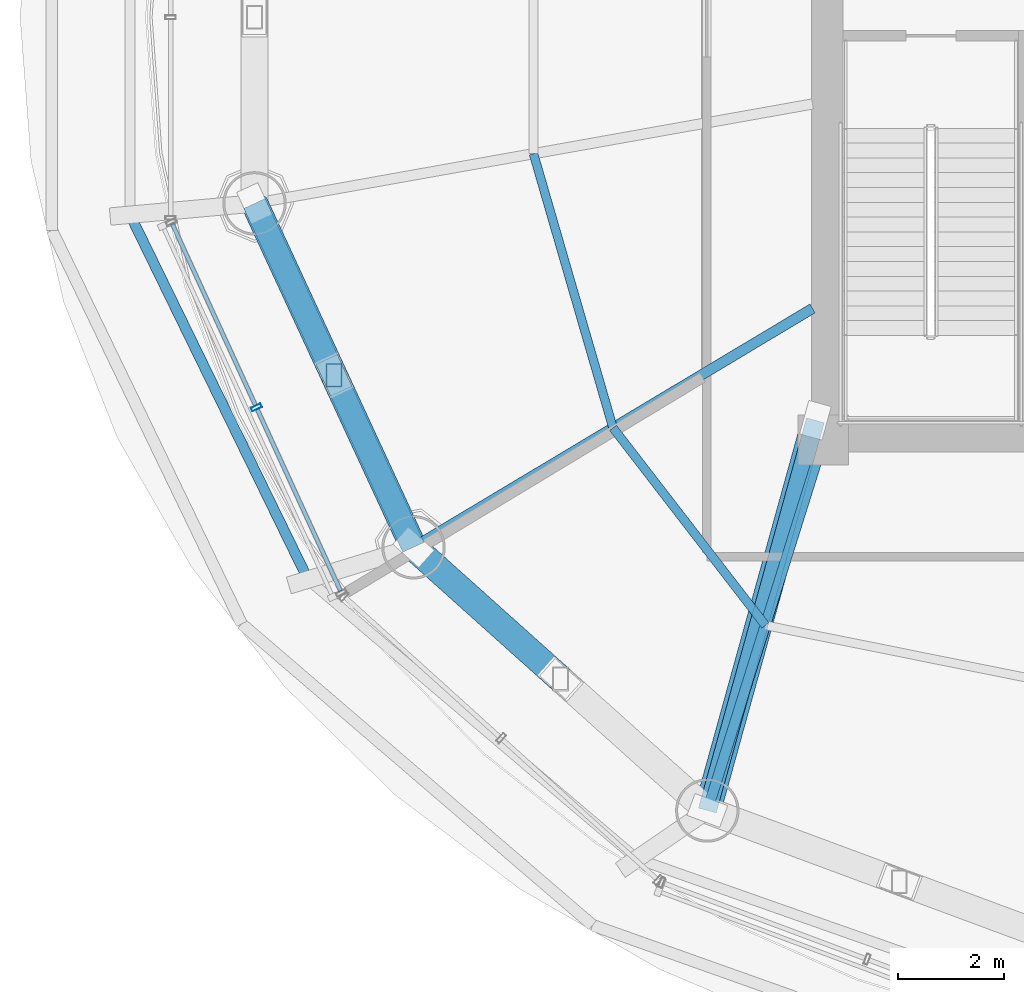
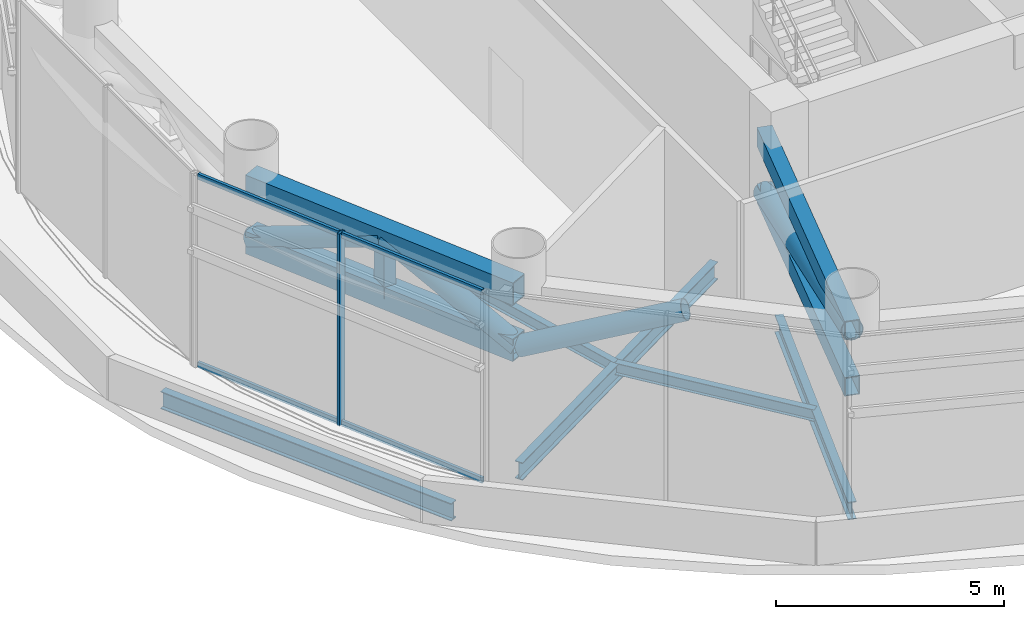
# One storey, part 3 of 25: 14 members, 5 beams, 1 element without a shape of its own.
"""IFC4 building model written with IfcOpenShell, lengths in metres."""

from ifc_helpers import new_model, si_unit, direction, frame, origin, origin_2d, place, context, subcontext, project, spatial, hollow_rectangle, hollow_circle, i_section, extrude, source, transform, mapped, material, material_profile, profile_set, type_object, element, aggregate, save


model = new_model("IFC4")

# Units and contexts
model_context = context("Model", 3, precision=1e-05, world=origin(), true_north=direction((-0.2419218956, 0.970295726276)))
body_context = subcontext(model_context, "Body", "Model", "MODEL_VIEW")
ifc_project = project(units=[si_unit("LENGTHUNIT", "METRE"), si_unit("AREAUNIT", "SQUARE_METRE"), si_unit("VOLUMEUNIT", "CUBIC_METRE"), si_unit("PLANEANGLEUNIT", "RADIAN"), si_unit("MASSUNIT", "GRAM", prefix="KILO")], contexts=[model_context])

# Site, building, storey
site_placement = place(None, origin())
site = spatial("IfcSite", under=ifc_project, at=site_placement, CompositionType="ELEMENT")
building_placement = place(site_placement, origin())
building = spatial("IfcBuilding", under=site, at=building_placement, Name="Cobrevalo Terracotta Tower", CompositionType="ELEMENT")
storey_placement = place(building_placement, frame((0.0, 0.0, 185.800048828125)))
storey = spatial("IfcBuildingStorey", under=building, at=storey_placement, Name="L49", CompositionType="ELEMENT", Elevation=185.800048828125)

# Beams
ifc_material_1 = material(Name="Steel S355", Category="steel")
ifc_material_profile_1 = material_profile(ifc_material_1, i_section(OverallWidth=0.194091796875, OverallDepth=0.468994140625, WebThickness=0.011474609375, FlangeThickness=0.0205078125, at=origin_2d()), Name="W 460x106")
ifc_profile_set_1 = profile_set([ifc_material_profile_1], Name="Steel S355")
beam_type_1 = type_object("IfcBeamType", Name="Structural Beam W 460x106 (Steel S355)", PredefinedType="BEAM", material=ifc_profile_set_1)
beam_1_placement = place(storey_placement, frame((21.245849609375, 16.77197265625, -0.6845703125), z_axis=(0.858038452613, 0.513585449402, 0.0), x_axis=(-0.513585449402, 0.858038452613, 0.0)))
element("IfcBeam", 1, at=beam_1_placement, inside=storey, type_object=beam_type_1, Name="L49 radial floor girder 10", PredefinedType="BEAM", context=body_context, shape_type="SweptSolid", body=[
    extrude(i_section(OverallWidth=0.194091796875, OverallDepth=0.468994140625, WebThickness=0.011474609375, FlangeThickness=0.0205078125, at=origin_2d()), origin(), (0.0, 0.0, 1.0), 8.798095703125),
])
beam_2_placement = place(storey_placement, frame((26.80517578125, 11.7919921875, -0.6845703125), z_axis=(0.298871212691, 0.954293454984, 0.0), x_axis=(-0.954293454984, 0.298871212691, 0.0)))
element("IfcBeam", 2, at=beam_2_placement, inside=storey, type_object=beam_type_1, Name="L49 radial floor girder 11", PredefinedType="BEAM", context=body_context, shape_type="SweptSolid", body=[
    extrude(i_section(OverallWidth=0.194091796875, OverallDepth=0.468994140625, WebThickness=0.011474609375, FlangeThickness=0.0205078125, at=origin_2d()), origin(), (0.0, 0.0, 1.0), 7.34375),
])
ifc_material_profile_2 = material_profile(ifc_material_1, i_section(OverallWidth=0.1650390625, OverallDepth=0.31005859375, WebThickness=0.005859375, FlangeThickness=0.009765625, at=origin_2d()), Name="W 310x38.7")
ifc_profile_set_2 = profile_set([ifc_material_profile_2], Name="Steel S355")
beam_type_2 = type_object("IfcBeamType", Name="Structural Joist W 310x38.7 (Steel S355)", PredefinedType="JOIST", material=ifc_profile_set_2)
beam_3_placement = place(storey_placement, frame((23.51611328125, 24.21923828125, -0.60498046875), z_axis=(0.278503604802, -0.960435183712, 0.0), x_axis=(0.960435183712, 0.278503604802, 0.0)))
element("IfcBeam", 3, at=beam_3_placement, inside=storey, type_object=beam_type_2, Name="L49 circumferential secondary floor joist 09", PredefinedType="JOIST", context=body_context, shape_type="SweptSolid", body=[
    extrude(i_section(OverallWidth=0.1650390625, OverallDepth=0.31005859375, WebThickness=0.005859375, FlangeThickness=0.009765625, at=origin_2d()), origin(), (0.0, 0.0, 1.0), 5.401611328125),
])
beam_4_placement = place(storey_placement, frame((25.0205078125, 19.03125, -0.60498046875), z_axis=(0.61087296872, -0.791728625279, 0.0), x_axis=(0.791728625279, 0.61087296872, 0.0)))
element("IfcBeam", 4, at=beam_4_placement, inside=storey, type_object=beam_type_2, Name="L49 circumferential secondary floor joist 10", PredefinedType="JOIST", context=body_context, shape_type="SweptSolid", body=[
    extrude(i_section(OverallWidth=0.1650390625, OverallDepth=0.31005859375, WebThickness=0.005859375, FlangeThickness=0.009765625, at=origin_2d()), origin(), (0.0, 0.0, 1.0), 4.718017578125),
])
ifc_material_profile_3 = material_profile(ifc_material_1, i_section(OverallWidth=0.194091796875, OverallDepth=0.468994140625, WebThickness=0.011474609375, FlangeThickness=0.0205078125, at=origin_2d()), Name="W 460x106")
ifc_profile_set_3 = profile_set([ifc_material_profile_3], Name="Steel S355")
beam_type_3 = type_object("IfcBeamType", Name="Structural Spandrel W 460x106 (Steel S355)", PredefinedType="SPANDREL", material=ifc_profile_set_3)
beam_5_placement = place(storey_placement, frame((15.88330078125, 23.06396484375, -0.6845703125), z_axis=(0.438380418332, -0.898789524206, 0.0), x_axis=(0.898789524206, 0.438380418332, 0.0)))
element("IfcBeam", 5, at=beam_5_placement, inside=storey, type_object=beam_type_3, Name="L49 perimeter ring spandrel 09", PredefinedType="SPANDREL", context=body_context, shape_type="SweptSolid", body=[
    extrude(i_section(OverallWidth=0.194091796875, OverallDepth=0.468994140625, WebThickness=0.011474609375, FlangeThickness=0.0205078125, at=origin_2d()), origin(), (0.0, 0.0, 1.0), 7.680419921875),
])

# Members
ifc_material_profile_4 = material_profile(ifc_material_1, hollow_rectangle(XDim=0.449951171875, YDim=0.60009765625, WallThickness=0.028076171875, at=origin_2d()), Name="RHS 600x450x28")
ifc_profile_set_4 = profile_set([ifc_material_profile_4], Name="Steel S355")
member_type_1 = type_object("IfcMemberType", Name="Steel Chord RHS 600x450x28 (Steel S355)", PredefinedType="CHORD", material=ifc_profile_set_4)
shared_shape_1 = source(origin(), body_context, "Body", "SweptSolid", [
    extrude(hollow_rectangle(XDim=0.449951171875, YDim=0.60009765625, WallThickness=0.028076171875, at=origin_2d()), origin(), (0.0, 0.0, 1.0), 7.168701171875),
])
for number, where, z_axis, x_axis, name in (
    (6, (18.237060546875, 23.278564453125, 2.64990234375), (0.419718939129, -0.90765412583, 0.0), (0.90765412583, 0.419718939129, 0.0), "L49 belt truss chord 09-BC"),
    (7, (18.237060546875, 23.278564453125, 4.155029296875), (0.419718939129, -0.90765412583, 0.0), (0.90765412583, 0.419718939129, 0.0), "L49 belt truss chord 09-TC"),
):
    element("IfcMember", number, at=place(storey_placement, frame(where, z_axis=z_axis, x_axis=x_axis)), inside=storey, type_object=member_type_1, Name=name, PredefinedType="CHORD", context=body_context, shape_type="MappedRepresentation", body=[
        mapped(shared_shape_1, transform((0.0, 0.0, 0.0), scale=1.0)),
    ])
ifc_material_profile_5 = material_profile(ifc_material_1, hollow_rectangle(XDim=0.300048828125, YDim=0.449951171875, WallThickness=0.02001953125, at=origin_2d()), Name="RHS 450x300x20")
ifc_profile_set_5 = profile_set([ifc_material_profile_5], Name="Steel S355")
member_type_2 = type_object("IfcMemberType", Name="Steel Post RHS 450x300x20 (Steel S355)", PredefinedType="POST", material=ifc_profile_set_5)
shared_shape_2 = source(origin(), body_context, "Body", "SweptSolid", [
    extrude(hollow_rectangle(XDim=0.300048828125, YDim=0.449951171875, WallThickness=0.02001953125, at=origin_2d()), origin(), (0.0, 0.0, 1.0), 1.505126953125),
])
member_1_placement = place(storey_placement, frame((19.741455078125, 20.025390625, 2.64990234375), z_axis=(0.0, 0.0, 1.0), x_axis=(1.0, 0.0, 0.0)))
element("IfcMember", 8, at=member_1_placement, inside=storey, type_object=member_type_2, Name="L49 belt truss post 09", PredefinedType="POST", context=body_context, shape_type="MappedRepresentation", body=[
    mapped(shared_shape_2, transform((0.0, 0.0, 0.0), scale=1.0)),
])
ifc_material_profile_6 = material_profile(ifc_material_1, hollow_circle(Radius=0.25390625, WallThickness=0.02001953125, at=origin_2d()), Name="CHS 508x20")
ifc_profile_set_6 = profile_set([ifc_material_profile_6], Name="Steel S355")
member_type_3 = type_object("IfcMemberType", Name="Steel Brace CHS 508x20 (Steel S355)", PredefinedType="BRACE", material=ifc_profile_set_6)
shared_shape_3 = source(origin(), body_context, "Body", "SweptSolid", [
    extrude(hollow_circle(Radius=0.25390625, WallThickness=0.02001953125, at=origin_2d()), origin(), (0.0, 0.0, 1.0), 3.8876953125),
])
member_2_placement = place(storey_placement, frame((21.245849609375, 16.77197265625, 2.64990234375), z_axis=(-0.386973780964, 0.836873191355, 0.387162181052), x_axis=(-0.907660125176, -0.419705965131, 0.0)))
element("IfcMember", 9, at=member_2_placement, inside=storey, type_object=member_type_3, Name="L49 belt truss diagonal brace 09-D2", PredefinedType="BRACE", context=body_context, shape_type="MappedRepresentation", body=[
    mapped(shared_shape_3, transform((0.0, 0.0, 0.0), scale=1.0)),
])
shared_shape_4 = source(origin(), body_context, "Body", "SweptSolid", [
    extrude(hollow_circle(Radius=0.25390625, WallThickness=0.02001953125, at=origin_2d()), origin(), (0.0, 0.0, 1.0), 4.02392578125),
])
member_3_placement = place(storey_placement, frame((21.245849609375, 16.77197265625, 2.64990234375), z_axis=(0.690799602497, -0.618783167563, 0.374036496522), x_axis=(0.667213539671, 0.744866493057, 0.0)))
element("IfcMember", 10, at=member_3_placement, inside=storey, type_object=member_type_3, Name="L49 belt truss diagonal brace 10-D1", PredefinedType="BRACE", context=body_context, shape_type="MappedRepresentation", body=[
    mapped(shared_shape_4, transform((0.0, 0.0, 0.0), scale=1.0)),
])
shared_shape_5 = source(origin(), body_context, "Body", "SweptSolid", [
    extrude(hollow_circle(Radius=0.25390625, WallThickness=0.02001953125, at=origin_2d()), origin(), (0.0, 0.0, 1.0), 3.887451171875),
])
member_4_placement = place(storey_placement, frame((18.237060546875, 23.278564453125, 2.64990234375), z_axis=(0.386994119467, -0.836854372266, 0.387182529457), x_axis=(0.907648125928, 0.419731913844, 0.0)))
element("IfcMember", 11, at=member_4_placement, inside=storey, type_object=member_type_3, Name="L49 belt truss diagonal brace 09-D1", PredefinedType="BRACE", context=body_context, shape_type="MappedRepresentation", body=[
    mapped(shared_shape_5, transform((0.0, 0.0, 0.0), scale=1.0)),
])
ifc_material_profile_7 = material_profile(ifc_material_1, hollow_rectangle(XDim=0.35009765625, YDim=0.5, WallThickness=0.02197265625, at=origin_2d()), Name="RHS 500x350x22")
ifc_profile_set_7 = profile_set([ifc_material_profile_7], Name="Steel S355")
member_type_4 = type_object("IfcMemberType", Name="Steel Chord RHS 500x350x22 (Steel S355)", PredefinedType="CHORD", material=ifc_profile_set_7)
shared_shape_6 = source(origin(), body_context, "Body", "SweptSolid", [
    extrude(hollow_rectangle(XDim=0.35009765625, YDim=0.5, WallThickness=0.02197265625, at=origin_2d()), origin(), (0.0, 0.0, 1.0), 7.6611328125),
])
for number, where, z_axis, x_axis, name in (
    (12, (28.85009765625, 19.175048828125, 2.64990234375), (-0.266925528962, -0.963717158708, 0.0), (0.963717158708, -0.266925528962, 0.0), "L49 radial outrigger bottom chord 3"),
    (13, (28.85009765625, 19.175048828125, 4.155029296875), (-0.266925528962, -0.963717158708, 0.0), (0.963717158708, -0.266925528962, 0.0), "L49 radial outrigger top chord 3"),
):
    element("IfcMember", number, at=place(storey_placement, frame(where, z_axis=z_axis, x_axis=x_axis)), inside=storey, type_object=member_type_4, Name=name, PredefinedType="CHORD", context=body_context, shape_type="MappedRepresentation", body=[
        mapped(shared_shape_6, transform((0.0, 0.0, 0.0), scale=1.0)),
    ])
shared_shape_7 = source(origin(), body_context, "Body", "SweptSolid", [
    extrude(hollow_circle(Radius=0.25390625, WallThickness=0.02001953125, at=origin_2d()), origin(), (0.0, 0.0, 1.0), 7.807373046875),
])
member_5_placement = place(storey_placement, frame((28.85009765625, 19.175048828125, 2.64990234375), z_axis=(-0.261918525891, -0.945639701705, 0.192780290368), x_axis=(0.963717158708, -0.266925528962, 0.0)))
element("IfcMember", 14, at=member_5_placement, inside=storey, type_object=member_type_3, Name="L49 radial outrigger diagonal brace 3A", PredefinedType="BRACE", context=body_context, shape_type="MappedRepresentation", body=[
    mapped(shared_shape_7, transform((0.0, 0.0, 0.0), scale=1.0)),
])

# Curtain wall, members
ifc_material_2 = material(Name="Anodized aluminium", Category="aluminium")
curtain_wall_type = type_object("IfcCurtainWallType", Name="Belt-truss plant acoustic weather-louvre curtain wall CW-LV", PredefinedType="NOTDEFINED", material=ifc_material_2)
curtain_wall_placement = place(storey_placement, origin())
curtain_wall = element("IfcCurtainWall", 15, at=curtain_wall_placement, inside=storey, type_object=curtain_wall_type, Name="L49 curtain wall CW-LV-L49-S09", PredefinedType="NOTDEFINED")
ifc_material_profile_8 = material_profile(ifc_material_2, hollow_rectangle(XDim=0.074951171875, YDim=0.199951171875, WallThickness=0.0048828125, at=origin_2d()), Name="CWM 75x200")
ifc_profile_set_8 = profile_set([ifc_material_profile_8], Name="Anodized aluminium")
member_type_5 = type_object("IfcMemberType", Name="Lower/mid tower unitised mullion 75x200", PredefinedType="MULLION", material=ifc_profile_set_8)
shared_shape_8 = source(origin(), body_context, "Body", "SweptSolid", [
    extrude(hollow_rectangle(XDim=0.074951171875, YDim=0.199951171875, WallThickness=0.0048828125, at=origin_2d()), origin(), (0.0, 0.0, 1.0), 5.135009765625),
])
member_6_placement = place(storey_placement, frame((18.273681640625, 19.417236328125, 0.0), z_axis=(0.0, 0.0, 1.0), x_axis=(0.41672507912, -0.909032567311, 0.0)))
member_6 = element("IfcMember", 16, at=member_6_placement, type_object=member_type_5, Name="CW-LV-L49-S09 vertical mullion 02", PredefinedType="MULLION", context=body_context, shape_type="MappedRepresentation", body=[
    mapped(shared_shape_8, transform((0.0, 0.0, 0.0), scale=1.0)),
])
ifc_material_profile_9 = material_profile(ifc_material_2, hollow_rectangle(XDim=0.074951171875, YDim=0.14990234375, WallThickness=0.00439453125, at=origin_2d()), Name="CWT 75x150")
ifc_profile_set_9 = profile_set([ifc_material_profile_9], Name="Anodized aluminium")
member_type_6 = type_object("IfcMemberType", Name="Tower unitised aluminium transom 75x150", PredefinedType="USERDEFINED", material=ifc_profile_set_9)
shared_shape_9 = source(origin(), body_context, "Body", "SweptSolid", [
    extrude(hollow_rectangle(XDim=0.074951171875, YDim=0.14990234375, WallThickness=0.00439453125, at=origin_2d()), origin(), (0.0, 0.0, 1.0), 3.780029296875),
])
member_7_placement = place(storey_placement, frame((16.681640625, 22.889892578125, 0.050048828125), z_axis=(0.416705859352, -0.909041377926, 0.0), x_axis=(0.909041377926, 0.416705859352, 0.0)))
member_7 = element("IfcMember", 17, at=member_7_placement, type_object=member_type_6, Name="CW-LV-L49-S09 transom B01-T1", ObjectType="TRANSOM", PredefinedType="USERDEFINED", context=body_context, shape_type="MappedRepresentation", body=[
    mapped(shared_shape_9, transform((0.0, 0.0, 0.0), scale=1.0)),
])
member_8_placement = place(storey_placement, frame((16.681640625, 22.889892578125, 5.0849609375), z_axis=(0.416705859352, -0.909041377926, 0.0), x_axis=(0.909041377926, 0.416705859352, 0.0)))
member_8 = element("IfcMember", 18, at=member_8_placement, type_object=member_type_6, Name="CW-LV-L49-S09 transom B01-T2", ObjectType="TRANSOM", PredefinedType="USERDEFINED", context=body_context, shape_type="MappedRepresentation", body=[
    mapped(shared_shape_9, transform((0.0, 0.0, 0.0), scale=1.0)),
])
member_9_placement = place(storey_placement, frame((18.290283203125, 19.380859375, 0.050048828125), z_axis=(0.416705859352, -0.909041377926, 0.0), x_axis=(0.909041377926, 0.416705859352, 0.0)))
member_9 = element("IfcMember", 19, at=member_9_placement, type_object=member_type_6, Name="CW-LV-L49-S09 transom B02-T1", ObjectType="TRANSOM", PredefinedType="USERDEFINED", context=body_context, shape_type="MappedRepresentation", body=[
    mapped(shared_shape_9, transform((0.0, 0.0, 0.0), scale=1.0)),
])
member_10_placement = place(storey_placement, frame((18.290283203125, 19.380859375, 5.0849609375), z_axis=(0.416705859352, -0.909041377926, 0.0), x_axis=(0.909041377926, 0.416705859352, 0.0)))
member_10 = element("IfcMember", 20, at=member_10_placement, type_object=member_type_6, Name="CW-LV-L49-S09 transom B02-T2", ObjectType="TRANSOM", PredefinedType="USERDEFINED", context=body_context, shape_type="MappedRepresentation", body=[
    mapped(shared_shape_9, transform((0.0, 0.0, 0.0), scale=1.0)),
])
aggregate(curtain_wall, [member_6, member_7, member_8, member_9, member_10])

save(model, "model.ifc")
